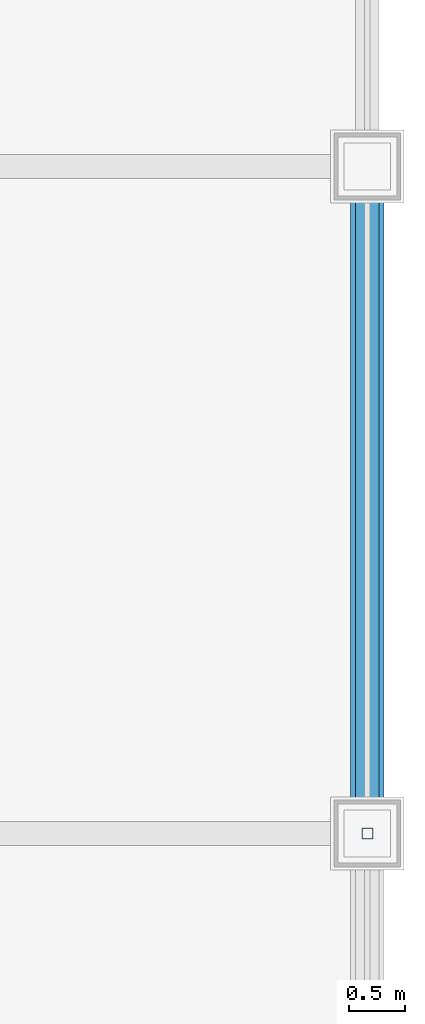
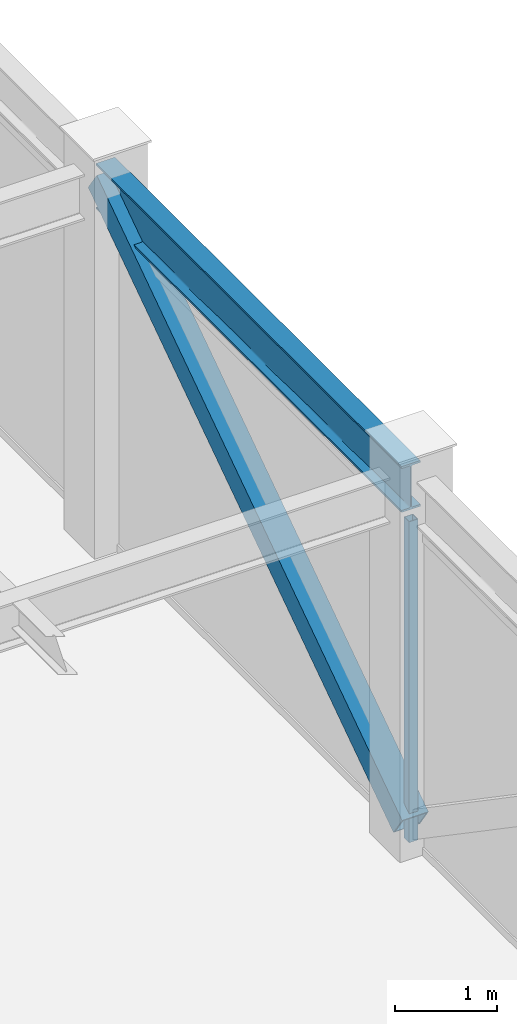
# One storey, part 12 of 27: 2 members, 1 beam, 1 element without a shape of its own.
"""IFC4 building model written with IfcOpenShell, lengths in metres."""

from ifc_helpers import new_model, si_unit, direction, frame, origin, origin_2d, place, context, subcontext, project, spatial, hollow_rectangle, i_section, extrude, source, transform, mapped, material, material_profile, profile_set, type_object, element, aggregate, save


model = new_model("IFC4")

# Units and contexts
model_context = context("Model", 3, precision=1e-05, world=origin(), true_north=direction((0.0, 1.0)))
body_context = subcontext(model_context, "Body", "Model", "MODEL_VIEW")
ifc_project = project(units=[si_unit("LENGTHUNIT", "METRE"), si_unit("AREAUNIT", "SQUARE_METRE"), si_unit("VOLUMEUNIT", "CUBIC_METRE"), si_unit("PLANEANGLEUNIT", "RADIAN"), si_unit("MASSUNIT", "GRAM", prefix="KILO")], contexts=[model_context])

# Site, building, storey
site_placement = place(None, origin())
site = spatial("IfcSite", under=ifc_project, at=site_placement, CompositionType="ELEMENT")
building_placement = place(site_placement, origin())
building = spatial("IfcBuilding", under=site, at=building_placement, Name="Khorayat Bourse Tower", CompositionType="ELEMENT")
storey_placement = place(building_placement, frame((0.0, 0.0, 399.5)))
storey = spatial("IfcBuildingStorey", under=building, at=storey_placement, Name="L94", CompositionType="ELEMENT", Elevation=399.5)

# Beam
ifc_material_1 = material(Name="Steel ASTM A992 Grade 50", Category="steel")
ifc_material_profile_1 = material_profile(ifc_material_1, i_section(OverallWidth=0.214111328125, OverallDepth=0.549072265625, WebThickness=0.0146484375, FlangeThickness=0.023681640625, FilletRadius=0.013916015625, at=origin_2d()), Name="W530X138")
ifc_profile_set_1 = profile_set([ifc_material_profile_1], Name="Steel ASTM A992 Grade 50")
beam_type = type_object("IfcBeamType", Name="BM-SPAN-530", PredefinedType="SPANDREL", material=ifc_profile_set_1)
shared_shape_1 = source(origin(), body_context, "Body", "SweptSolid", [
    extrude(i_section(OverallWidth=0.214111328125, OverallDepth=0.549072265625, WebThickness=0.0146484375, FlangeThickness=0.023681640625, FilletRadius=0.013916015625, at=origin_2d()), origin(), (0.0, 0.0, 1.0), 6.0),
])
beam_placement = place(storey_placement, frame((24.0, 0.0, 4.2255859375), z_axis=(0.0, 1.0, 0.0), x_axis=(-1.0, 0.0, 0.0)))
element("IfcBeam", 1, at=beam_placement, inside=storey, type_object=beam_type, Name="L94 BM-SPAN-530 BM-L94-SPN-035", PredefinedType="SPANDREL", context=body_context, shape_type="MappedRepresentation", body=[
    mapped(shared_shape_1, transform((0.0, 0.0, 0.0), scale=1.0)),
])

# Member
ifc_material_2 = material(Name="Steel EN 10025-2 S355J2", Category="steel")
ifc_material_profile_2 = material_profile(ifc_material_2, hollow_rectangle(XDim=0.300048828125, YDim=0.300048828125, WallThickness=0.01611328125, at=origin_2d()), Name="HSS 300x300x16")
ifc_profile_set_2 = profile_set([ifc_material_profile_2], Name="Steel EN 10025-2 S355J2")
member_type_1 = type_object("IfcMemberType", Name="MBR-CROWN-300", PredefinedType="USERDEFINED", material=ifc_profile_set_2)
shared_shape_2 = source(origin(), body_context, "Body", "SweptSolid", [
    extrude(hollow_rectangle(XDim=0.300048828125, YDim=0.300048828125, WallThickness=0.01611328125, at=origin_2d()), origin(), (0.0, 0.0, 1.0), 7.26708984375),
])
member_1_placement = place(storey_placement, frame((24.0, 0.0, 0.199951171875), z_axis=(0.0, 0.825638381691, 0.564199665614), x_axis=(-1.0, 0.0, 0.0)))
element("IfcMember", 2, at=member_1_placement, inside=storey, type_object=member_type_1, Name="L94 Lantern Crown Frame Member 15", ObjectType="CROWN FRAME", PredefinedType="USERDEFINED", context=body_context, shape_type="MappedRepresentation", body=[
    mapped(shared_shape_2, transform((0.0, 0.0, 0.0), scale=1.0)),
])

# Curtain wall, member
ifc_material_3 = material(Name="Aluminium EN AW-6063 T6", Category="aluminium")
curtain_wall_type = type_object("IfcCurtainWallType", Name="CW-SYS-07", PredefinedType="NOTDEFINED", material=ifc_material_3)
curtain_wall_placement = place(storey_placement, origin())
curtain_wall = element("IfcCurtainWall", 3, at=curtain_wall_placement, inside=storey, type_object=curtain_wall_type, Name="L94 Curtain Wall CW-L94-E1", PredefinedType="NOTDEFINED")
ifc_material_profile_3 = material_profile(ifc_material_3, hollow_rectangle(XDim=0.10009765625, YDim=0.10009765625, WallThickness=0.0048828125, at=origin_2d()), Name="ALU 100x100x5")
ifc_profile_set_3 = profile_set([ifc_material_profile_3], Name="Aluminium EN AW-6063 T6")
member_type_2 = type_object("IfcMemberType", Name="CWM-LANTERN-100", PredefinedType="MULLION", material=ifc_profile_set_3)
shared_shape_3 = source(origin(), body_context, "Body", "SweptSolid", [
    extrude(hollow_rectangle(XDim=0.10009765625, YDim=0.10009765625, WallThickness=0.0048828125, at=origin_2d()), origin(), (0.0, 0.0, 1.0), 3.85009765625),
])
member_2_placement = place(storey_placement, frame((24.0, 0.0, 0.0), z_axis=(0.0, 0.0, 1.0), x_axis=(-1.0, 0.0, 0.0)))
member_2 = element("IfcMember", 4, at=member_2_placement, type_object=member_type_2, Name="CW-L94-E1 Vertical Mullion 2", PredefinedType="MULLION", context=body_context, shape_type="MappedRepresentation", body=[
    mapped(shared_shape_3, transform((0.0, 0.0, 0.0), scale=1.0)),
])
aggregate(curtain_wall, [member_2])

save(model, "model.ifc")
